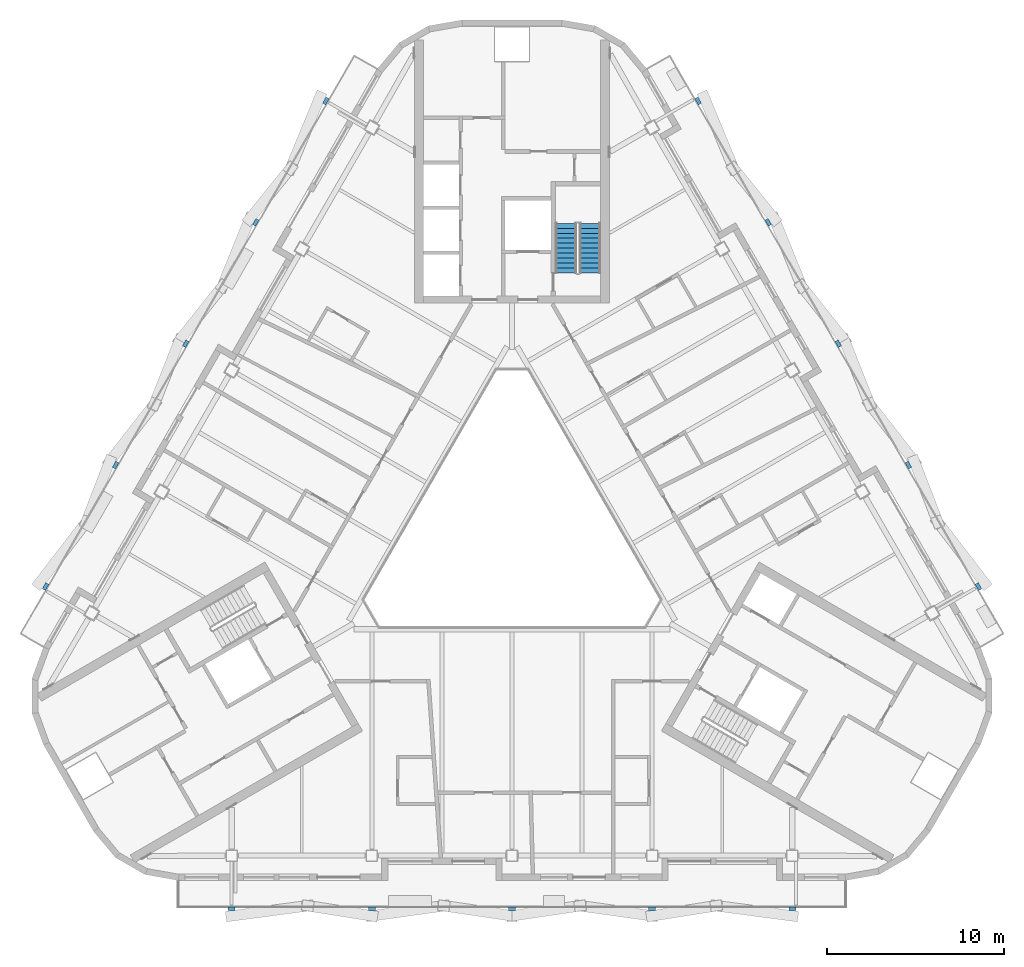
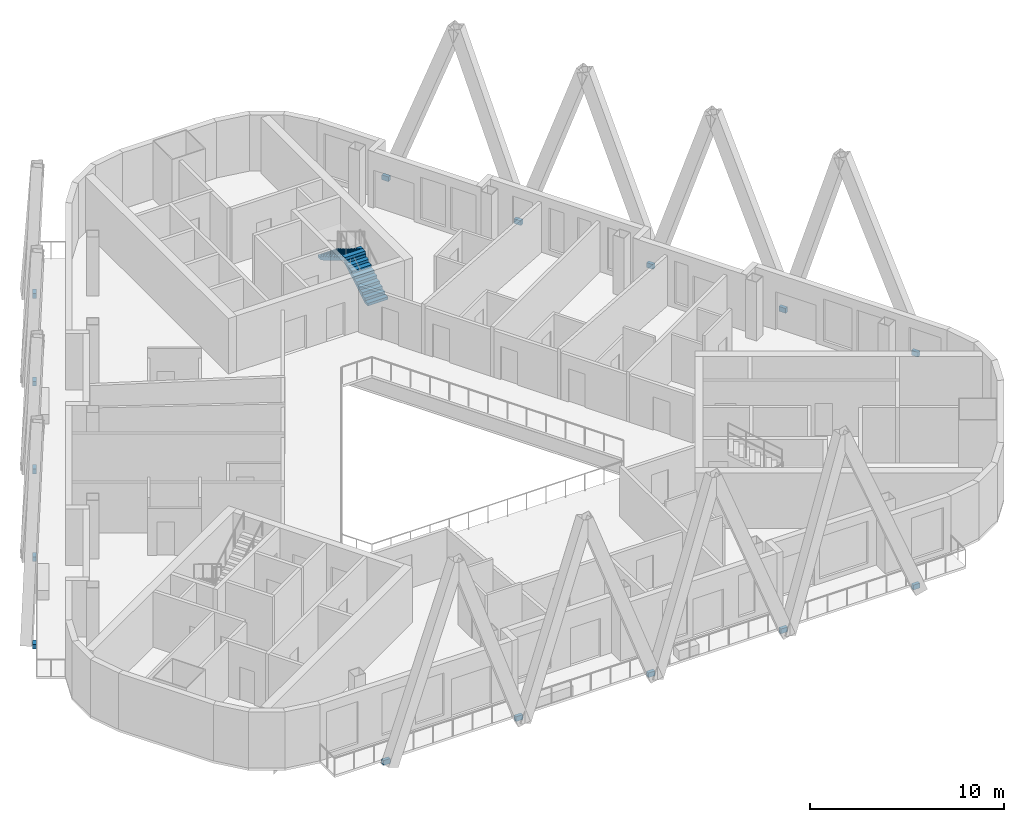
# One storey, part 11 of 18: 15 discrete accessories, 2 stair flights, 1 element without a shape of its own.
"""IFC4 building model written with IfcOpenShell, lengths in metres."""

from ifc_helpers import new_model, si_unit, direction, frame, origin, origin_2d, place, context, subcontext, project, spatial, polyline, rectangle, outline, extrude, material, type_object, element, aggregate, save


model = new_model("IFC4")

# Units and contexts
model_context = context("Model", 3, precision=1e-05, world=origin(), true_north=direction((0.0, 1.0)))
body_context = subcontext(model_context, "Body", "Model", "MODEL_VIEW")
ifc_project = project(units=[si_unit("LENGTHUNIT", "METRE"), si_unit("AREAUNIT", "SQUARE_METRE"), si_unit("VOLUMEUNIT", "CUBIC_METRE"), si_unit("PLANEANGLEUNIT", "RADIAN"), si_unit("MASSUNIT", "GRAM", prefix="KILO")], contexts=[model_context])

# Site, building, storey
site_placement = place(None, origin())
site = spatial("IfcSite", under=ifc_project, at=site_placement, CompositionType="ELEMENT")
building_placement = place(site_placement, origin())
building = spatial("IfcBuilding", under=site, at=building_placement, Name="Apuvela Tower Hotel", CompositionType="ELEMENT")
storey_placement = place(building_placement, frame((0.0, 0.0, 246.699951171875)))
storey = spatial("IfcBuildingStorey", under=building, at=storey_placement, Name="L60", CompositionType="ELEMENT", Elevation=246.699951171875)

# Stair, stair flights
ifc_material_1 = material(Name="Concrete C50/60", Category="concrete")
stair_type = type_object("IfcStairType", Name="COR-STAIR-22R", PredefinedType="HALF_TURN_STAIR", material=ifc_material_1)
stair_placement = place(storey_placement, origin())
stair = element("IfcStair", 1, at=stair_placement, inside=storey, type_object=stair_type, Name="L60 Exit stair ST1", PredefinedType="HALF_TURN_STAIR")
stair_flight_type = type_object("IfcStairFlightType", Name="COR-FLIGHT-11R", PredefinedType="STRAIGHT", material=ifc_material_1)
stair_flight_1_placement = place(storey_placement, frame((4.39990234375, 14.60009765625, 0.0), z_axis=(0.0, 0.0, 1.0), x_axis=(0.0, 1.0, 0.0)))
stair_flight_1 = element("IfcStairFlight", 2, at=stair_flight_1_placement, type_object=stair_flight_type, Name="ST1 flight 1", NumberOfRisers=11, NumberOfTreads=10, PredefinedType="STRAIGHT", RiserHeight=0.168181818, TreadLength=0.28, context=body_context, shape_type="SweptSolid", body=[
    extrude(outline(polyline([(0.0, 0.0), (0.0, 0.168212890625), (0.280029296875, 0.168212890625), (0.280029296875, 0.33642578125), (0.56005859375, 0.33642578125), (0.56005859375, 0.504638671875), (0.840087890625, 0.504638671875), (0.840087890625, 0.672607421875), (1.1201171875, 0.672607421875), (1.1201171875, 0.8408203125), (1.39990234375, 0.8408203125), (1.39990234375, 1.009033203125), (1.679931640625, 1.009033203125), (1.679931640625, 1.17724609375), (1.9599609375, 1.17724609375), (1.9599609375, 1.345458984375), (2.239990234375, 1.345458984375), (2.239990234375, 1.513671875), (2.52001953125, 1.513671875), (2.52001953125, 1.681884765625), (2.800048828125, 1.681884765625), (2.800048828125, 1.85009765625), (2.800048828125, 1.5068359375), (0.291015625, 0.0), (0.0, 0.0)])), frame((0.0, 0.60009765625, 0.0), z_axis=(0.0, -1.0, 0.0), x_axis=(1.0, 0.0, 0.0)), (0.0, 0.0, 1.0), 1.199951171875),
])
stair_flight_2_placement = place(storey_placement, frame((3.050048828125, 17.39990234375, 1.85009765625), z_axis=(0.0, 0.0, 1.0), x_axis=(0.0, -1.0, 0.0)))
stair_flight_2 = element("IfcStairFlight", 3, at=stair_flight_2_placement, type_object=stair_flight_type, Name="ST1 flight 2", NumberOfRisers=11, NumberOfTreads=10, PredefinedType="STRAIGHT", RiserHeight=0.168181818, TreadLength=0.28, context=body_context, shape_type="SweptSolid", body=[
    extrude(outline(polyline([(0.0, 0.0), (0.0, 0.168212890625), (0.280029296875, 0.168212890625), (0.280029296875, 0.33642578125), (0.56005859375, 0.33642578125), (0.56005859375, 0.504638671875), (0.840087890625, 0.504638671875), (0.840087890625, 0.672607421875), (1.1201171875, 0.672607421875), (1.1201171875, 0.8408203125), (1.39990234375, 0.8408203125), (1.39990234375, 1.009033203125), (1.679931640625, 1.009033203125), (1.679931640625, 1.17724609375), (1.9599609375, 1.17724609375), (1.9599609375, 1.345458984375), (2.239990234375, 1.345458984375), (2.239990234375, 1.513671875), (2.52001953125, 1.513671875), (2.52001953125, 1.681884765625), (2.800048828125, 1.681884765625), (2.800048828125, 1.85009765625), (2.800048828125, 1.5068359375), (0.291015625, 0.0), (0.0, 0.0)])), frame((0.0, 0.60009765625, 0.0), z_axis=(0.0, -1.0, 0.0), x_axis=(1.0, 0.0, 0.0)), (0.0, 0.0, 1.0), 1.199951171875),
])
aggregate(stair, [stair_flight_1, stair_flight_2])

# Discrete accessories
ifc_material_2 = material(Name="Steel S355, black paint system", Category="steel")
discrete_accessory_type = type_object("IfcDiscreteAccessoryType", Name="ENV-FIN-BRACKET", PredefinedType="BRACKET", material=ifc_material_2)
for number, where, z_axis, x_axis, name in (
    (4, (26.28564453125, -3.068115234375, -0.25), (0.0, 0.0, 1.0), (-0.5, 0.866025403784, 0.0), "Fin bracket NE110"),
    (5, (22.335693359375, 3.7734375, -0.25), (0.0, 0.0, 1.0), (-0.5, 0.866025403784, 0.0), "Fin bracket NE111"),
    (6, (18.3857421875, 10.614990234375, -0.25), (0.0, 0.0, 1.0), (-0.5, 0.866025403784, 0.0), "Fin bracket NE112"),
    (7, (14.435791015625, 17.45654296875, -0.25), (0.0, 0.0, 1.0), (-0.5, 0.866025403784, 0.0), "Fin bracket NE113"),
    (8, (10.485595703125, 24.298095703125, -0.25), (0.0, 0.0, 1.0), (-0.5, 0.866025403784, 0.0), "Fin bracket NE114"),
    (9, (-10.485595703125, 24.298095703125, -0.25), (0.0, 0.0, 1.0), (-0.5, -0.866025403784, 0.0), "Fin bracket NW259"),
    (10, (-14.435791015625, 17.45654296875, -0.25), (0.0, 0.0, 1.0), (-0.5, -0.866025403784, 0.0), "Fin bracket NW260"),
    (11, (-18.3857421875, 10.614990234375, -0.25), (0.0, 0.0, 1.0), (-0.5, -0.866025403784, 0.0), "Fin bracket NW261"),
    (12, (-22.335693359375, 3.7734375, -0.25), (0.0, 0.0, 1.0), (-0.5, -0.866025403784, 0.0), "Fin bracket NW262"),
    (13, (-26.28564453125, -3.068115234375, -0.25), (0.0, 0.0, 1.0), (-0.5, -0.866025403784, 0.0), "Fin bracket NW263"),
    (14, (-15.800048828125, -21.22998046875, -0.25), (0.0, 0.0, 1.0), (1.0, 0.0, 0.0), "Fin bracket S409"),
    (15, (-7.89990234375, -21.22998046875, -0.25), (0.0, 0.0, 1.0), (1.0, 0.0, 0.0), "Fin bracket S410"),
    (16, (0.0, -21.22998046875, -0.25), (0.0, 0.0, 1.0), (1.0, 0.0, 0.0), "Fin bracket S411"),
    (17, (7.89990234375, -21.22998046875, -0.25), (0.0, 0.0, 1.0), (1.0, 0.0, 0.0), "Fin bracket S412"),
    (18, (15.800048828125, -21.22998046875, -0.25), (0.0, 0.0, 1.0), (1.0, 0.0, 0.0), "Fin bracket S413"),
):
    element("IfcDiscreteAccessory", number, at=place(storey_placement, frame(where, z_axis=z_axis, x_axis=x_axis)), inside=storey, type_object=discrete_accessory_type, Name=name, PredefinedType="BRACKET", context=body_context, shape_type="SweptSolid", body=[
        extrude(rectangle(XDim=0.39990234375, YDim=0.199951171875, at=origin_2d()), origin(), (0.0, 0.0, 1.0), 0.300048828125),
    ])

save(model, "model.ifc")
